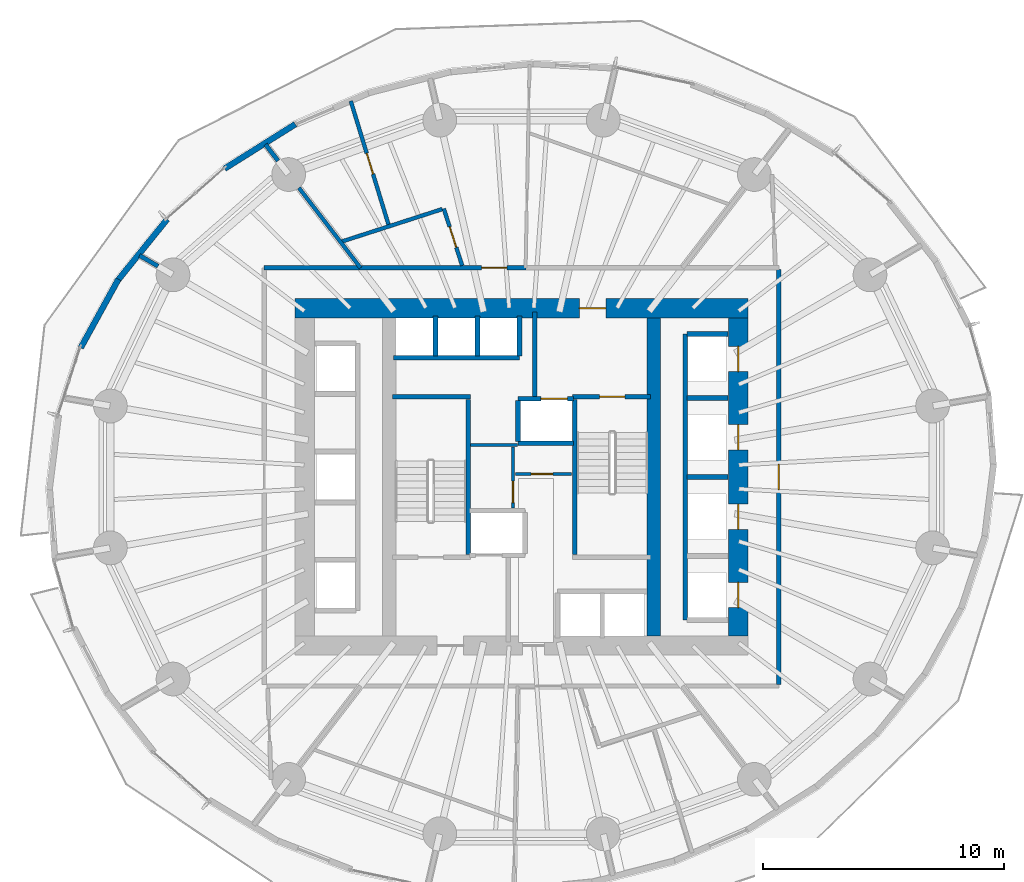
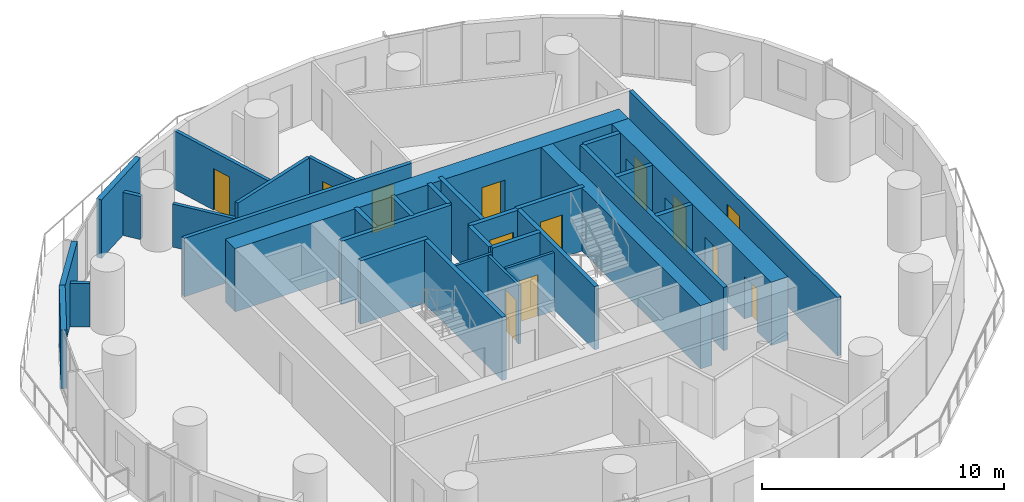
# One storey, part 8 of 14: 33 walls, 13 doors, 13 openings.
"""IFC4 building model written with IfcOpenShell, lengths in metres."""

from ifc_helpers import new_model, si_unit, direction, frame, frame_2d, origin, place, context, subcontext, project, spatial, rectangle, extrude, material, layer, layer_set, type_object, element, fill, save


model = new_model("IFC4")

# Units and contexts
model_context = context("Model", 3, precision=1e-05, world=origin(), true_north=direction((0.0, 1.0)))
body_context = subcontext(model_context, "Body", "Model", "MODEL_VIEW")
ifc_project = project(units=[si_unit("LENGTHUNIT", "METRE"), si_unit("AREAUNIT", "SQUARE_METRE"), si_unit("VOLUMEUNIT", "CUBIC_METRE"), si_unit("PLANEANGLEUNIT", "RADIAN"), si_unit("MASSUNIT", "GRAM", prefix="KILO")], contexts=[model_context])

# Site, building, storey
site_placement = place(None, origin())
site = spatial("IfcSite", under=ifc_project, at=site_placement, CompositionType="ELEMENT")
building_placement = place(site_placement, origin())
building = spatial("IfcBuilding", under=site, at=building_placement, Name="Veldorim Arch Residences", CompositionType="ELEMENT")
storey_placement = place(building_placement, frame((0.0, 0.0, 50.39990234375)))
storey = spatial("IfcBuildingStorey", under=building, at=storey_placement, Name="L14", CompositionType="ELEMENT", Elevation=50.39990234375)

# Wall, opening, door
ifc_material_1 = material(Name="Acoustic Gypsum Board", Category="gypsum")
ifc_layer_1 = layer(ifc_material_1, 0.125, Name="Acoustic Stud Room Partition Wall 125")
ifc_layer_set_1 = layer_set([ifc_layer_1], Name="Acoustic Gypsum Board")
wall_type_1 = type_object("IfcWallType", Name="Acoustic Stud Room Partition Wall 125", PredefinedType="PARTITIONING", material=ifc_layer_set_1)
wall_1_placement = place(storey_placement, frame((31.64990234375, 22.719970703125, 0.0), z_axis=(0.0, 0.0, 1.0), x_axis=(0.0, 1.0, 0.0)))
wall_1 = element("IfcWall", 1, at=wall_1_placement, inside=storey, type_object=wall_type_1, Name="L14 interior wall WL-CA-L14-1", PredefinedType="PARTITIONING", context=body_context, shape_type="SweptSolid", body=[
    extrude(rectangle(XDim=2.52001953125, YDim=0.125, at=frame_2d((1.260009765625, 0.0))), origin(), (0.0, 0.0, 1.0), 2.955078125),
])
opening_1_placement = place(wall_1_placement, frame((0.2099609375, 0.0, 0.0)))
opening_1 = element("IfcOpeningElement", 2, at=opening_1_placement, cuts=wall_1, Name="Opening DR-SVC", PredefinedType="OPENING", context=body_context, shape_type="SweptSolid", body=[
    extrude(rectangle(XDim=0.89990234375, YDim=2.10009765625, at=frame_2d((0.449951171875, 1.050048828125))), frame((0.0, 0.072509765625, 0.0), z_axis=(0.0, -1.0, 0.0), x_axis=(1.0, 0.0, 0.0)), (0.0, 0.0, 1.0), 0.14501953125),
])
ifc_material_2 = material(Name="Fire-Rated Steel", Category="steel")
door_type_1 = type_object("IfcDoorType", Name="Riser, Shelter & Plant Room Rated Steel Door 900x2100", OperationType="SINGLE_SWING_LEFT", PredefinedType="DOOR", material=ifc_material_2)
door_1_placement = place(opening_1_placement, origin())
door_1 = element("IfcDoor", 3, at=door_1_placement, inside=storey, type_object=door_type_1, Name="L14 interior door DR-L14-CA1", OperationType="SINGLE_SWING_LEFT", OverallHeight=2.10009765625, OverallWidth=0.89990234375, PredefinedType="DOOR", context=body_context, shape_type="SweptSolid", body=[
    extrude(rectangle(XDim=0.89990234375, YDim=2.10009765625, at=frame_2d((0.449951171875, 1.050048828125))), frame((0.0, 0.02490234375, 0.0), z_axis=(0.0, -1.0, 0.0), x_axis=(1.0, 0.0, 0.0)), (0.0, 0.0, 1.0), 0.050048828125),
])
fill(opening_1, door_1)

wall_2_placement = place(storey_placement, frame((31.760009765625, 24.1201171875, 0.0), z_axis=(0.0, 0.0, 1.0), x_axis=(1.0, 0.0, 0.0)))
wall_2 = element("IfcWall", 4, at=wall_2_placement, inside=storey, type_object=wall_type_1, Name="L14 interior wall WL-CA-L14-2", PredefinedType="PARTITIONING", context=body_context, shape_type="SweptSolid", body=[
    extrude(rectangle(XDim=2.320068359375, YDim=0.125, at=frame_2d((1.16015625, 0.0))), origin(), (0.0, 0.0, 1.0), 2.955078125),
])
opening_2_placement = place(wall_2_placement, frame((0.639892578125, 0.0, 0.0)))
opening_2 = element("IfcOpeningElement", 5, at=opening_2_placement, cuts=wall_2, Name="Opening DR-SVC", PredefinedType="OPENING", context=body_context, shape_type="SweptSolid", body=[
    extrude(rectangle(XDim=0.89990234375, YDim=2.10009765625, at=frame_2d((0.449951171875, 1.050048828125))), frame((0.0, 0.072509765625, 0.0), z_axis=(0.0, -1.0, 0.0), x_axis=(1.0, 0.0, 0.0)), (0.0, 0.0, 1.0), 0.14501953125),
])
door_2_placement = place(opening_2_placement, origin())
door_2 = element("IfcDoor", 6, at=door_2_placement, inside=storey, type_object=door_type_1, Name="L14 interior door DR-L14-CA2", OperationType="SINGLE_SWING_RIGHT", OverallHeight=2.10009765625, OverallWidth=0.89990234375, PredefinedType="DOOR", context=body_context, shape_type="SweptSolid", body=[
    extrude(rectangle(XDim=0.89990234375, YDim=2.10009765625, at=frame_2d((0.449951171875, 1.050048828125))), frame((0.0, 0.02490234375, 0.0), z_axis=(0.0, -1.0, 0.0), x_axis=(1.0, 0.0, 0.0)), (0.0, 0.0, 1.0), 0.050048828125),
])
fill(opening_2, door_2)

# Walls
wall_3_placement = place(storey_placement, frame((29.889892578125, 25.330078125, 0.0), z_axis=(0.0, 0.0, 1.0), x_axis=(1.0, 0.0, 0.0)))
element("IfcWall", 7, at=wall_3_placement, inside=storey, type_object=wall_type_1, Name="L14 interior wall WL-CA-L14-N", PredefinedType="PARTITIONING", context=body_context, shape_type="SweptSolid", body=[
    extrude(rectangle(XDim=1.940185546875, YDim=0.125, at=frame_2d((0.97021484375, 0.0))), origin(), (0.0, 0.0, 1.0), 2.955078125),
])
ifc_material_3 = material(Name="Lightweight Masonry Block & Gypsum", Category="masonry")
ifc_layer_2 = layer(ifc_material_3, 0.179931640625, Name="Compartment & Corridor Fire-Rated Party Wall 180")
ifc_layer_set_2 = layer_set([ifc_layer_2], Name="Lightweight Masonry Block & Gypsum")
wall_type_2 = type_object("IfcWallType", Name="Compartment & Corridor Fire-Rated Party Wall 180", PredefinedType="PARTITIONING", material=ifc_layer_set_2)
wall_4_placement = place(storey_placement, frame((21.893798828125, 37.125732421875, 0.0), z_axis=(0.0, 0.0, 1.0), x_axis=(-0.610124026743, 0.792305920709, 0.0)))
element("IfcWall", 8, at=wall_4_placement, inside=storey, type_object=wall_type_2, Name="L14 interior wall WL-PIER-L14-06", PredefinedType="PARTITIONING", context=body_context, shape_type="SweptSolid", body=[
    extrude(rectangle(XDim=0.856201171875, YDim=0.179931640625, at=frame_2d((0.42822265625, 0.0))), origin(), (0.0, 0.0, 1.0), 2.17822265625),
])
wall_5_placement = place(storey_placement, frame((16.909423828125, 32.750244140625, 0.0), z_axis=(0.0, 0.0, 1.0), x_axis=(-0.86495471492, 0.501849918937, 0.0)))
element("IfcWall", 9, at=wall_5_placement, inside=storey, type_object=wall_type_2, Name="L14 interior wall WL-PIER-L14-07", PredefinedType="PARTITIONING", context=body_context, shape_type="SweptSolid", body=[
    extrude(rectangle(XDim=0.886962890625, YDim=0.179931640625, at=frame_2d((0.443359375, 0.0))), origin(), (0.0, 0.0, 1.0), 2.17822265625),
])

# Wall, opening, door
wall_6_placement = place(storey_placement, frame((42.679931640625, 32.6201171875, 0.0), z_axis=(0.0, 0.0, 1.0), x_axis=(0.0, -1.0, 0.0)))
wall_6 = element("IfcWall", 10, at=wall_6_placement, inside=storey, type_object=wall_type_2, Name="L14 interior wall WL-RES-L14-003", PredefinedType="PARTITIONING", context=body_context, shape_type="SweptSolid", body=[
    extrude(rectangle(XDim=17.240234375, YDim=0.179931640625, at=frame_2d((8.6201171875, 0.0))), origin(), (0.0, 0.0, 1.0), 2.955078125),
])
opening_3_placement = place(wall_6_placement, frame((8.094970703125, 0.0, 0.0)))
opening_3 = element("IfcOpeningElement", 11, at=opening_3_placement, cuts=wall_6, Name="Opening DR-FLT", PredefinedType="OPENING", context=body_context, shape_type="SweptSolid", body=[
    extrude(rectangle(XDim=1.050048828125, YDim=2.14990234375, at=frame_2d((0.52490234375, 1.074951171875))), frame((0.0, 0.099853515625, 0.0), z_axis=(0.0, -1.0, 0.0), x_axis=(1.0, 0.0, 0.0)), (0.0, 0.0, 1.0), 0.199951171875),
])
ifc_material_4 = material(Name="Fire-Rated Timber", Category="wood")
door_type_2 = type_object("IfcDoorType", Name="Apartment Entrance Solid-Core Fire Door 1050x2150", OperationType="SINGLE_SWING_LEFT", PredefinedType="DOOR", material=ifc_material_4)
door_3_placement = place(opening_3_placement, origin())
door_3 = element("IfcDoor", 12, at=door_3_placement, inside=storey, type_object=door_type_2, Name="L14 interior door DR-RES-L14-006", OperationType="SINGLE_SWING_RIGHT", OverallHeight=2.14990234375, OverallWidth=1.050048828125, PredefinedType="DOOR", context=body_context, shape_type="SweptSolid", body=[
    extrude(rectangle(XDim=1.050048828125, YDim=2.14990234375, at=frame_2d((0.52490234375, 1.074951171875))), frame((0.0, 0.02490234375, 0.0), z_axis=(0.0, -1.0, 0.0), x_axis=(1.0, 0.0, 0.0)), (0.0, 0.0, 1.0), 0.050048828125),
])
fill(opening_3, door_3)

wall_7_placement = place(storey_placement, frame((21.320068359375, 32.679931640625, 0.0), z_axis=(0.0, 0.0, 1.0), x_axis=(1.0, 0.0, 0.0)))
wall_7 = element("IfcWall", 13, at=wall_7_placement, inside=storey, type_object=wall_type_2, Name="L14 interior wall WL-RES-L14-004", PredefinedType="PARTITIONING", context=body_context, shape_type="SweptSolid", body=[
    extrude(rectangle(XDim=10.86962890625, YDim=0.179931640625, at=frame_2d((5.434814453125, 0.0))), origin(), (0.0, 0.0, 1.0), 2.955078125),
])
opening_4_placement = place(wall_7_placement, frame((9.02294921875, 0.0, 0.0)))
opening_4 = element("IfcOpeningElement", 14, at=opening_4_placement, cuts=wall_7, Name="Opening DR-FLT", PredefinedType="OPENING", context=body_context, shape_type="SweptSolid", body=[
    extrude(rectangle(XDim=1.050048828125, YDim=2.14990234375, at=frame_2d((0.52490234375, 1.074951171875))), frame((0.0, 0.099853515625, 0.0), z_axis=(0.0, -1.0, 0.0), x_axis=(1.0, 0.0, 0.0)), (0.0, 0.0, 1.0), 0.199951171875),
])
door_4_placement = place(opening_4_placement, origin())
door_4 = element("IfcDoor", 15, at=door_4_placement, inside=storey, type_object=door_type_2, Name="L14 interior door DR-RES-L14-008", OperationType="SINGLE_SWING_RIGHT", OverallHeight=2.14990234375, OverallWidth=1.050048828125, PredefinedType="DOOR", context=body_context, shape_type="SweptSolid", body=[
    extrude(rectangle(XDim=1.050048828125, YDim=2.14990234375, at=frame_2d((0.52490234375, 1.074951171875))), frame((0.0, 0.02490234375, 0.0), z_axis=(0.0, -1.0, 0.0), x_axis=(1.0, 0.0, 0.0)), (0.0, 0.0, 1.0), 0.050048828125),
])
fill(opening_4, door_4)

# Walls
ifc_material_5 = material(Name="Concrete C50/60", Category="concrete")
ifc_layer_3 = layer(ifc_material_5, 0.199951171875, Name="Core Stair & Lift Shaft Enclosure Wall 200")
ifc_layer_set_3 = layer_set([ifc_layer_3], Name="Concrete C50/60")
wall_type_3 = type_object("IfcWallType", Name="Core Stair & Lift Shaft Enclosure Wall 200", PredefinedType="SHEAR", material=ifc_layer_set_3)
wall_8_placement = place(storey_placement, frame((29.7900390625, 20.780029296875, 0.0), z_axis=(0.0, 0.0, 1.0), x_axis=(0.0, 1.0, 0.0)))
element("IfcWall", 16, at=wall_8_placement, inside=storey, type_object=wall_type_3, Name="L14 shaft wall WL-SHF-L14-ST1-E", PredefinedType="SHEAR", context=body_context, shape_type="SweptSolid", body=[
    extrude(rectangle(XDim=6.43994140625, YDim=0.199951171875, at=frame_2d((3.219970703125, 0.0))), origin(), (0.0, 0.0, 1.0), 3.2001953125),
])
wall_9_placement = place(storey_placement, frame((26.64990234375, 27.330078125, 0.0), z_axis=(0.0, 0.0, 1.0), x_axis=(1.0, 0.0, 0.0)))
element("IfcWall", 17, at=wall_9_placement, inside=storey, type_object=wall_type_3, Name="L14 shaft wall WL-SHF-L14-ST1-N", PredefinedType="SHEAR", context=body_context, shape_type="SweptSolid", body=[
    extrude(rectangle(XDim=3.239990234375, YDim=0.199951171875, at=frame_2d((1.6201171875, 0.0))), origin(), (0.0, 0.0, 1.0), 3.2001953125),
])
wall_10_placement = place(storey_placement, frame((34.2099609375, 20.780029296875, 0.0), z_axis=(0.0, 0.0, 1.0), x_axis=(0.0, 1.0, 0.0)))
element("IfcWall", 18, at=wall_10_placement, inside=storey, type_object=wall_type_3, Name="L14 shaft wall WL-SHF-L14-ST2-W", PredefinedType="SHEAR", context=body_context, shape_type="SweptSolid", body=[
    extrude(rectangle(XDim=6.43994140625, YDim=0.199951171875, at=frame_2d((3.219970703125, 0.0))), origin(), (0.0, 0.0, 1.0), 3.2001953125),
])

# Wall, opening, door
wall_11_placement = place(storey_placement, frame((34.110107421875, 27.330078125, 0.0), z_axis=(0.0, 0.0, 1.0), x_axis=(1.0, 0.0, 0.0)))
wall_11 = element("IfcWall", 19, at=wall_11_placement, inside=storey, type_object=wall_type_3, Name="L14 shaft wall WL-SHF-L14-ST2-N", PredefinedType="SHEAR", context=body_context, shape_type="SweptSolid", body=[
    extrude(rectangle(XDim=3.239990234375, YDim=0.199951171875, at=frame_2d((1.6201171875, 0.0))), origin(), (0.0, 0.0, 1.0), 3.2001953125),
])
opening_5_placement = place(wall_11_placement, frame((1.135009765625, 0.0, 0.0)))
opening_5 = element("IfcOpeningElement", 20, at=opening_5_placement, cuts=wall_11, Name="Opening DR-ST", PredefinedType="OPENING", context=body_context, shape_type="SweptSolid", body=[
    extrude(rectangle(XDim=1.050048828125, YDim=2.14990234375, at=frame_2d((0.52490234375, 1.074951171875))), frame((0.0, 0.10986328125, 0.0), z_axis=(0.0, -1.0, 0.0), x_axis=(1.0, 0.0, 0.0)), (0.0, 0.0, 1.0), 0.219970703125),
])
ifc_material_6 = material(Name="Fire-Rated Steel", Category="steel")
door_type_3 = type_object("IfcDoorType", Name="Exit Staircase Self-Closing Fire Door 1050x2150", OperationType="SINGLE_SWING_LEFT", PredefinedType="DOOR", material=ifc_material_6)
door_5_placement = place(opening_5_placement, origin())
door_5 = element("IfcDoor", 21, at=door_5_placement, inside=storey, type_object=door_type_3, Name="L14 interior door DR-L14-ST2", OperationType="SINGLE_SWING_RIGHT", OverallHeight=2.14990234375, OverallWidth=1.050048828125, PredefinedType="DOOR", context=body_context, shape_type="SweptSolid", body=[
    extrude(rectangle(XDim=1.050048828125, YDim=2.14990234375, at=frame_2d((0.52490234375, 1.074951171875))), frame((0.0, 0.02490234375, 0.0), z_axis=(0.0, -1.0, 0.0), x_axis=(1.0, 0.0, 0.0)), (0.0, 0.0, 1.0), 0.050048828125),
])
fill(opening_5, door_5)

# Wall
wall_12_placement = place(storey_placement, frame((32.550048828125, 27.35009765625, 0.0), z_axis=(0.0, 0.0, 1.0), x_axis=(0.0, 1.0, 0.0)))
element("IfcWall", 22, at=wall_12_placement, inside=storey, type_object=wall_type_3, Name="L14 shaft wall WL-FFL2-L14-W", PredefinedType="SHEAR", context=body_context, shape_type="SweptSolid", body=[
    extrude(rectangle(XDim=3.5, YDim=0.199951171875, at=frame_2d((1.75, 0.0))), origin(), (0.0, 0.0, 1.0), 3.2001953125),
])

# Wall, opening, door
wall_13_placement = place(storey_placement, frame((31.85009765625, 27.25, 0.0), z_axis=(0.0, 0.0, 1.0), x_axis=(1.0, 0.0, 0.0)))
wall_13 = element("IfcWall", 23, at=wall_13_placement, inside=storey, type_object=wall_type_3, Name="L14 shaft wall WL-FL02-L14-N", PredefinedType="SHEAR", context=body_context, shape_type="SweptSolid", body=[
    extrude(rectangle(XDim=2.2998046875, YDim=0.199951171875, at=frame_2d((1.14990234375, 0.0))), origin(), (0.0, 0.0, 1.0), 3.2001953125),
])
opening_6_placement = place(wall_13_placement, frame((0.949951171875, 0.0, 0.0)))
opening_6 = element("IfcOpeningElement", 24, at=opening_6_placement, cuts=wall_13, Name="Opening LD-FF", PredefinedType="OPENING", context=body_context, shape_type="SweptSolid", body=[
    extrude(rectangle(XDim=1.10009765625, YDim=2.14990234375, at=frame_2d((0.550048828125, 1.074951171875))), frame((0.0, 0.10986328125, 0.0), z_axis=(0.0, -1.0, 0.0), x_axis=(1.0, 0.0, 0.0)), (0.0, 0.0, 1.0), 0.219970703125),
])
ifc_material_7 = material(Name="Stainless Steel", Category="steel")
door_type_4 = type_object("IfcDoorType", Name="Firefighting Lift Bi-Parting Sliding Landing Door 1100x2150", OperationType="DOUBLE_DOOR_SLIDING", PredefinedType="DOOR", material=ifc_material_7)
door_6_placement = place(opening_6_placement, origin())
door_6 = element("IfcDoor", 25, at=door_6_placement, inside=storey, type_object=door_type_4, Name="L14 lift landing door LD-L14-FL02", OperationType="DOUBLE_DOOR_SLIDING", OverallHeight=2.14990234375, OverallWidth=1.10009765625, PredefinedType="DOOR", context=body_context, shape_type="SweptSolid", body=[
    extrude(rectangle(XDim=1.10009765625, YDim=2.14990234375, at=frame_2d((0.550048828125, 1.074951171875))), frame((0.0, 0.02490234375, 0.0), z_axis=(0.0, -1.0, 0.0), x_axis=(1.0, 0.0, 0.0)), (0.0, 0.0, 1.0), 0.050048828125),
])
fill(opening_6, door_6)

# Walls
wall_14_placement = place(storey_placement, frame((31.85009765625, 25.39990234375, 0.0), z_axis=(0.0, 0.0, 1.0), x_axis=(1.0, 0.0, 0.0)))
element("IfcWall", 26, at=wall_14_placement, inside=storey, type_object=wall_type_3, Name="L14 shaft wall WL-FL02-L14-S", PredefinedType="SHEAR", context=body_context, shape_type="SweptSolid", body=[
    extrude(rectangle(XDim=2.2998046875, YDim=0.199951171875, at=frame_2d((1.14990234375, 0.0))), origin(), (0.0, 0.0, 1.0), 3.2001953125),
])
wall_15_placement = place(storey_placement, frame((31.85009765625, 25.469970703125, 0.0), z_axis=(0.0, 0.0, 1.0), x_axis=(0.0, 1.0, 0.0)))
element("IfcWall", 27, at=wall_15_placement, inside=storey, type_object=wall_type_3, Name="L14 shaft wall WL-FL02-L14-W", PredefinedType="SHEAR", context=body_context, shape_type="SweptSolid", body=[
    extrude(rectangle(XDim=1.7099609375, YDim=0.199951171875, at=frame_2d((0.85498046875, 0.0))), origin(), (0.0, 0.0, 1.0), 3.2001953125),
])
wall_16_placement = place(storey_placement, frame((38.800048828125, 18.06005859375, 0.0), z_axis=(0.0, 0.0, 1.0), x_axis=(0.0, 1.0, 0.0)))
element("IfcWall", 28, at=wall_16_placement, inside=storey, type_object=wall_type_3, Name="L14 shaft wall WL-B1-L14-W", PredefinedType="SHEAR", context=body_context, shape_type="SweptSolid", body=[
    extrude(rectangle(XDim=11.8798828125, YDim=0.199951171875, at=frame_2d((5.93994140625, 0.0))), origin(), (0.0, 0.0, 1.0), 3.2001953125),
])
for number, where, z_axis, x_axis, name in (
    (29, (38.8701171875, 29.93994140625, 0.0), (0.0, 0.0, 1.0), (1.0, 0.0, 0.0), "L14 shaft wall WL-B1-L14-N"),
    (30, (38.8701171875, 24.0, 0.0), (0.0, 0.0, 1.0), (1.0, 0.0, 0.0), "L14 shaft wall WL-B1-L14-D2"),
    (31, (38.8701171875, 27.27490234375, 0.0), (0.0, 0.0, 1.0), (1.0, 0.0, 0.0), "L14 shaft wall WL-B1-L14-D3"),
):
    element("IfcWall", number, at=place(storey_placement, frame(where, z_axis=z_axis, x_axis=x_axis)), inside=storey, type_object=wall_type_3, Name=name, PredefinedType="SHEAR", context=body_context, shape_type="SweptSolid", body=[
        extrude(rectangle(XDim=1.7099609375, YDim=0.199951171875, at=frame_2d((0.85498046875, 0.0))), origin(), (0.0, 0.0, 1.0), 3.2001953125),
    ])
wall_17_placement = place(storey_placement, frame((26.679931640625, 28.949951171875, 0.0), z_axis=(0.0, 0.0, 1.0), x_axis=(1.0, 0.0, 0.0)))
element("IfcWall", 32, at=wall_17_placement, inside=storey, type_object=wall_type_3, Name="L14 shaft wall WL-B3-L14-S", PredefinedType="SHEAR", context=body_context, shape_type="SweptSolid", body=[
    extrude(rectangle(XDim=5.239990234375, YDim=0.199951171875, at=frame_2d((2.6201171875, 0.0))), origin(), (0.0, 0.0, 1.0), 3.2001953125),
])
for number, where, z_axis, x_axis, name in (
    (33, (31.919921875, 29.02001953125, 0.0), (0.0, 0.0, 1.0), (0.0, 1.0, 0.0), "L14 shaft wall WL-B3-L14-E"),
    (34, (28.425048828125, 29.02001953125, 0.0), (0.0, 0.0, 1.0), (0.0, 1.0, 0.0), "L14 shaft wall WL-B3-L14-D1"),
    (35, (30.175048828125, 29.02001953125, 0.0), (0.0, 0.0, 1.0), (0.0, 1.0, 0.0), "L14 shaft wall WL-B3-L14-D2"),
):
    element("IfcWall", number, at=place(storey_placement, frame(where, z_axis=z_axis, x_axis=x_axis)), inside=storey, type_object=wall_type_3, Name=name, PredefinedType="SHEAR", context=body_context, shape_type="SweptSolid", body=[
        extrude(rectangle(XDim=1.659912109375, YDim=0.199951171875, at=frame_2d((0.830078125, 0.0))), origin(), (0.0, 0.0, 1.0), 3.2001953125),
    ])
ifc_material_8 = material(Name="Concrete C60/75", Category="concrete")
ifc_layer_4 = layer(ifc_material_8, 0.56005859375, Name="Internal Core Shear Web Wall 560")
ifc_layer_set_4 = layer_set([ifc_layer_4], Name="Concrete C60/75")
wall_type_4 = type_object("IfcWallType", Name="Internal Core Shear Web Wall 560", PredefinedType="SHEAR", material=ifc_layer_set_4)
wall_18_placement = place(storey_placement, frame((37.5, 17.39990234375, 0.0), z_axis=(0.0, 0.0, 1.0), x_axis=(0.0, 1.0, 0.0)))
element("IfcWall", 36, at=wall_18_placement, inside=storey, type_object=wall_type_4, Name="L14 core east internal shear web", PredefinedType="SHEAR", context=body_context, shape_type="SweptSolid", body=[
    extrude(rectangle(XDim=13.2001953125, YDim=0.56005859375, at=frame_2d((6.60009765625, 0.0))), origin(), (0.0, 0.0, 1.0), 3.2001953125),
])

# Wall, opening, door
ifc_material_9 = material(Name="Concrete C60/75", Category="concrete")
ifc_layer_5 = layer(ifc_material_9, 0.800048828125, Name="Lower Central Core Shear Wall 800")
ifc_layer_set_5 = layer_set([ifc_layer_5], Name="Concrete C60/75")
wall_type_5 = type_object("IfcWallType", Name="Lower Central Core Shear Wall 800", PredefinedType="SHEAR", material=ifc_layer_set_5)
wall_19_placement = place(storey_placement, frame((22.60009765625, 31.0, 0.0), z_axis=(0.0, 0.0, 1.0), x_axis=(1.0, 0.0, 0.0)))
wall_19 = element("IfcWall", 37, at=wall_19_placement, inside=storey, type_object=wall_type_5, Name="L14 central core north shear wall", PredefinedType="SHEAR", context=body_context, shape_type="SweptSolid", body=[
    extrude(rectangle(XDim=18.7998046875, YDim=0.800048828125, at=frame_2d((9.39990234375, 0.0))), origin(), (0.0, 0.0, 1.0), 3.2001953125),
])
opening_7_placement = place(wall_19_placement, frame((11.800048828125, 0.0, 0.0)))
opening_7 = element("IfcOpeningElement", 38, at=opening_7_placement, cuts=wall_19, Name="Opening DR-FFL", PredefinedType="OPENING", context=body_context, shape_type="SweptSolid", body=[
    extrude(rectangle(XDim=1.10009765625, YDim=2.14990234375, at=frame_2d((0.550048828125, 1.074951171875))), frame((0.0, 0.409912109375, 0.0), z_axis=(0.0, -1.0, 0.0), x_axis=(1.0, 0.0, 0.0)), (0.0, 0.0, 1.0), 0.820068359375),
])
ifc_material_10 = material(Name="Fire-Rated Steel & Vision Glass", Category="steel")
door_type_5 = type_object("IfcDoorType", Name="Firefighting Lobby Smoke-Stop Fire Door 1100x2150", OperationType="SINGLE_SWING_LEFT", PredefinedType="DOOR", material=ifc_material_10)
door_7_placement = place(opening_7_placement, origin())
door_7 = element("IfcDoor", 39, at=door_7_placement, inside=storey, type_object=door_type_5, Name="L14 interior door DR-L14-FFL2", OperationType="SINGLE_SWING_LEFT", OverallHeight=2.14990234375, OverallWidth=1.10009765625, PredefinedType="DOOR", context=body_context, shape_type="SweptSolid", body=[
    extrude(rectangle(XDim=1.10009765625, YDim=2.14990234375, at=frame_2d((0.550048828125, 1.074951171875))), frame((0.0, 0.02490234375, 0.0), z_axis=(0.0, -1.0, 0.0), x_axis=(1.0, 0.0, 0.0)), (0.0, 0.0, 1.0), 0.050048828125),
])
fill(opening_7, door_7)

# Wall, openings, doors
wall_20_placement = place(storey_placement, frame((41.0, 17.39990234375, 0.0), z_axis=(0.0, 0.0, 1.0), x_axis=(0.0, 1.0, 0.0)))
wall_20 = element("IfcWall", 40, at=wall_20_placement, inside=storey, type_object=wall_type_5, Name="L14 central core east shear wall", PredefinedType="SHEAR", context=body_context, shape_type="SweptSolid", body=[
    extrude(rectangle(XDim=13.2001953125, YDim=0.800048828125, at=frame_2d((6.60009765625, 0.0))), origin(), (0.0, 0.0, 1.0), 3.2001953125),
])
opening_8_placement = place(wall_20_placement, frame((1.175048828125, 0.0, 0.0)))
opening_8 = element("IfcOpeningElement", 41, at=opening_8_placement, cuts=wall_20, Name="Opening LD-PS", PredefinedType="OPENING", context=body_context, shape_type="SweptSolid", body=[
    extrude(rectangle(XDim=1.050048828125, YDim=2.14990234375, at=frame_2d((0.52490234375, 1.074951171875))), frame((0.0, 0.409912109375, 0.0), z_axis=(0.0, -1.0, 0.0), x_axis=(1.0, 0.0, 0.0)), (0.0, 0.0, 1.0), 0.820068359375),
])
opening_9_placement = place(wall_20_placement, frame((4.425048828125, 0.0, 0.0)))
opening_9 = element("IfcOpeningElement", 42, at=opening_9_placement, cuts=wall_20, Name="Opening LD-PS", PredefinedType="OPENING", context=body_context, shape_type="SweptSolid", body=[
    extrude(rectangle(XDim=1.050048828125, YDim=2.14990234375, at=frame_2d((0.52490234375, 1.074951171875))), frame((0.0, 0.409912109375, 0.0), z_axis=(0.0, -1.0, 0.0), x_axis=(1.0, 0.0, 0.0)), (0.0, 0.0, 1.0), 0.820068359375),
])
opening_10_placement = place(wall_20_placement, frame((7.72509765625, 0.0, 0.0)))
opening_10 = element("IfcOpeningElement", 43, at=opening_10_placement, cuts=wall_20, Name="Opening LD-PS", PredefinedType="OPENING", context=body_context, shape_type="SweptSolid", body=[
    extrude(rectangle(XDim=1.050048828125, YDim=2.14990234375, at=frame_2d((0.52490234375, 1.074951171875))), frame((0.0, 0.409912109375, 0.0), z_axis=(0.0, -1.0, 0.0), x_axis=(1.0, 0.0, 0.0)), (0.0, 0.0, 1.0), 0.820068359375),
])
opening_11_placement = place(wall_20_placement, frame((10.97509765625, 0.0, 0.0)))
opening_11 = element("IfcOpeningElement", 44, at=opening_11_placement, cuts=wall_20, Name="Opening LD-PS", PredefinedType="OPENING", context=body_context, shape_type="SweptSolid", body=[
    extrude(rectangle(XDim=1.050048828125, YDim=2.14990234375, at=frame_2d((0.52490234375, 1.074951171875))), frame((0.0, 0.409912109375, 0.0), z_axis=(0.0, -1.0, 0.0), x_axis=(1.0, 0.0, 0.0)), (0.0, 0.0, 1.0), 0.820068359375),
])
ifc_material_11 = material(Name="Stainless Steel", Category="steel")
door_type_6 = type_object("IfcDoorType", Name="Passenger Lift Bi-Parting Sliding Landing Door 1050x2150", OperationType="DOUBLE_DOOR_SLIDING", PredefinedType="DOOR", material=ifc_material_11)
door_8_placement = place(opening_8_placement, origin())
door_8 = element("IfcDoor", 45, at=door_8_placement, inside=storey, type_object=door_type_6, Name="L14 lift landing door LD-L14-PL-01", OperationType="DOUBLE_DOOR_SLIDING", OverallHeight=2.14990234375, OverallWidth=1.050048828125, PredefinedType="DOOR", context=body_context, shape_type="SweptSolid", body=[
    extrude(rectangle(XDim=1.050048828125, YDim=2.14990234375, at=frame_2d((0.52490234375, 1.074951171875))), frame((0.0, 0.02490234375, 0.0), z_axis=(0.0, -1.0, 0.0), x_axis=(1.0, 0.0, 0.0)), (0.0, 0.0, 1.0), 0.050048828125),
])
fill(opening_8, door_8)
door_9_placement = place(opening_9_placement, origin())
door_9 = element("IfcDoor", 46, at=door_9_placement, inside=storey, type_object=door_type_6, Name="L14 lift landing door LD-L14-PL-02", OperationType="DOUBLE_DOOR_SLIDING", OverallHeight=2.14990234375, OverallWidth=1.050048828125, PredefinedType="DOOR", context=body_context, shape_type="SweptSolid", body=[
    extrude(rectangle(XDim=1.050048828125, YDim=2.14990234375, at=frame_2d((0.52490234375, 1.074951171875))), frame((0.0, 0.02490234375, 0.0), z_axis=(0.0, -1.0, 0.0), x_axis=(1.0, 0.0, 0.0)), (0.0, 0.0, 1.0), 0.050048828125),
])
fill(opening_9, door_9)
door_10_placement = place(opening_10_placement, origin())
door_10 = element("IfcDoor", 47, at=door_10_placement, inside=storey, type_object=door_type_6, Name="L14 lift landing door LD-L14-PL-03", OperationType="DOUBLE_DOOR_SLIDING", OverallHeight=2.14990234375, OverallWidth=1.050048828125, PredefinedType="DOOR", context=body_context, shape_type="SweptSolid", body=[
    extrude(rectangle(XDim=1.050048828125, YDim=2.14990234375, at=frame_2d((0.52490234375, 1.074951171875))), frame((0.0, 0.02490234375, 0.0), z_axis=(0.0, -1.0, 0.0), x_axis=(1.0, 0.0, 0.0)), (0.0, 0.0, 1.0), 0.050048828125),
])
fill(opening_10, door_10)
door_11_placement = place(opening_11_placement, origin())
door_11 = element("IfcDoor", 48, at=door_11_placement, inside=storey, type_object=door_type_6, Name="L14 lift landing door LD-L14-PL-04", OperationType="DOUBLE_DOOR_SLIDING", OverallHeight=2.14990234375, OverallWidth=1.050048828125, PredefinedType="DOOR", context=body_context, shape_type="SweptSolid", body=[
    extrude(rectangle(XDim=1.050048828125, YDim=2.14990234375, at=frame_2d((0.52490234375, 1.074951171875))), frame((0.0, 0.02490234375, 0.0), z_axis=(0.0, -1.0, 0.0), x_axis=(1.0, 0.0, 0.0)), (0.0, 0.0, 1.0), 0.050048828125),
])
fill(opening_11, door_11)

# Walls
ifc_material_12 = material(Name="Precast concrete C40/50", Category="concrete")
ifc_layer_6 = layer(ifc_material_12, 0.25, Name="Tower Terracotta Spandrel & Pier Wall 250")
ifc_layer_set_6 = layer_set([ifc_layer_6], Name="Precast concrete C40/50")
wall_type_6 = type_object("IfcWallType", Name="Tower Terracotta Spandrel & Pier Wall 250", PredefinedType="SOLIDWALL", material=ifc_layer_set_6)
wall_21_placement = place(storey_placement, frame((19.674072265625, 36.80322265625, 0.0), z_axis=(0.0, 0.0, 1.0), x_axis=(0.846852351865, 0.531828068215, 0.0)))
element("IfcWall", 49, at=wall_21_placement, inside=storey, type_object=wall_type_6, Name="L14 terracotta facade wall 12", PredefinedType="SOLIDWALL", context=body_context, shape_type="SweptSolid", body=[
    extrude(rectangle(XDim=3.465087890625, YDim=0.25, at=frame_2d((1.732421875, 0.0))), origin(), (0.0, 0.0, 1.0), 2.960205078125),
])
wall_22_placement = place(storey_placement, frame((15.2001953125, 32.116943359375, 0.0), z_axis=(0.0, 0.0, 1.0), x_axis=(0.62854914488, 0.777769871151, 0.0)))
element("IfcWall", 50, at=wall_22_placement, inside=storey, type_object=wall_type_6, Name="L14 terracotta facade wall 14", PredefinedType="SOLIDWALL", context=body_context, shape_type="SweptSolid", body=[
    extrude(rectangle(XDim=3.322998046875, YDim=0.25, at=frame_2d((1.66162109375, 0.0))), origin(), (0.0, 0.0, 1.0), 2.960205078125),
])
wall_23_placement = place(storey_placement, frame((13.7001953125, 29.366455078125, 0.0), z_axis=(0.0, 0.0, 1.0), x_axis=(0.481612512773, 0.876384269337, 0.0)))
element("IfcWall", 51, at=wall_23_placement, inside=storey, type_object=wall_type_6, Name="L14 terracotta facade wall 15", PredefinedType="SOLIDWALL", context=body_context, shape_type="SweptSolid", body=[
    extrude(rectangle(XDim=3.244384765625, YDim=0.25, at=frame_2d((1.6220703125, 0.0))), origin(), (0.0, 0.0, 1.0), 2.960205078125),
])

# Wall, opening, door
ifc_material_13 = material(Name="Moisture-Resistant Gypsum & Stud", Category="gypsum")
ifc_layer_7 = layer(ifc_material_13, 0.159912109375, Name="Wet-Area Moisture-Resistant Plumbing Wall 160")
ifc_layer_set_7 = layer_set([ifc_layer_7], Name="Moisture-Resistant Gypsum & Stud")
wall_type_7 = type_object("IfcWallType", Name="Wet-Area Moisture-Resistant Plumbing Wall 160", PredefinedType="PLUMBINGWALL", material=ifc_layer_set_7)
wall_24_placement = place(storey_placement, frame((26.50048828125, 34.406005859375, 0.0), z_axis=(0.0, 0.0, 1.0), x_axis=(-0.292167210162, 0.956367252318, 0.0)))
wall_24 = element("IfcWall", 52, at=wall_24_placement, inside=storey, type_object=wall_type_7, Name="L14 interior wall WL-RES-L14-016", PredefinedType="PLUMBINGWALL", context=body_context, shape_type="SweptSolid", body=[
    extrude(rectangle(XDim=5.438232421875, YDim=0.159912109375, at=frame_2d((2.71923828125, 0.0))), origin(), (0.0, 0.0, 1.0), 2.955078125),
])
opening_12_placement = place(wall_24_placement, frame((2.26904296875, 0.0, 0.0)))
opening_12 = element("IfcOpeningElement", 53, at=opening_12_placement, cuts=wall_24, Name="Opening DR-WC", PredefinedType="OPENING", context=body_context, shape_type="SweptSolid", body=[
    extrude(rectangle(XDim=0.89990234375, YDim=2.10009765625, at=frame_2d((0.449951171875, 1.050048828125))), frame((0.0, 0.08984375, 0.0), z_axis=(0.0, -1.0, 0.0), x_axis=(1.0, 0.0, 0.0)), (0.0, 0.0, 1.0), 0.179931640625),
])
ifc_material_14 = material(Name="Laminate Timber", Category="wood")
door_type_7 = type_object("IfcDoorType", Name="Bathroom & Accessible WC Moisture-Sealed Door 900x2100", OperationType="SINGLE_SWING_LEFT", PredefinedType="DOOR", material=ifc_material_14)
door_12_placement = place(opening_12_placement, origin())
door_12 = element("IfcDoor", 54, at=door_12_placement, inside=storey, type_object=door_type_7, Name="L14 interior door DR-RES-L14-009", OperationType="SINGLE_SWING_LEFT", OverallHeight=2.10009765625, OverallWidth=0.89990234375, PredefinedType="DOOR", context=body_context, shape_type="SweptSolid", body=[
    extrude(rectangle(XDim=0.89990234375, YDim=2.10009765625, at=frame_2d((0.449951171875, 1.050048828125))), frame((0.0, 0.02490234375, 0.0), z_axis=(0.0, -1.0, 0.0), x_axis=(1.0, 0.0, 0.0)), (0.0, 0.0, 1.0), 0.050048828125),
])
fill(opening_12, door_12)

wall_25_placement = place(storey_placement, frame((29.53662109375, 32.775146484375, 0.0), z_axis=(0.0, 0.0, 1.0), x_axis=(-0.307163549255, 0.951656741693, 0.0)))
wall_25 = element("IfcWall", 55, at=wall_25_placement, inside=storey, type_object=wall_type_7, Name="L14 interior wall WL-RES-L14-018", PredefinedType="PLUMBINGWALL", context=body_context, shape_type="SweptSolid", body=[
    extrude(rectangle(XDim=2.484619140625, YDim=0.159912109375, at=frame_2d((1.2421875, 0.0))), origin(), (0.0, 0.0, 1.0), 2.955078125),
])
opening_13_placement = place(wall_25_placement, frame((0.792236328125, 0.0, 0.0)))
opening_13 = element("IfcOpeningElement", 56, at=opening_13_placement, cuts=wall_25, Name="Opening DR-INT", PredefinedType="OPENING", context=body_context, shape_type="SweptSolid", body=[
    extrude(rectangle(XDim=0.89990234375, YDim=2.10009765625, at=frame_2d((0.449951171875, 1.050048828125))), frame((0.0, 0.08984375, 0.0), z_axis=(0.0, -1.0, 0.0), x_axis=(1.0, 0.0, 0.0)), (0.0, 0.0, 1.0), 0.179931640625),
])
ifc_material_15 = material(Name="Engineered Timber", Category="wood")
door_type_8 = type_object("IfcDoorType", Name="Apartment Internal Room Timber Door 900x2100", OperationType="SINGLE_SWING_LEFT", PredefinedType="DOOR", material=ifc_material_15)
door_13_placement = place(opening_13_placement, origin())
door_13 = element("IfcDoor", 57, at=door_13_placement, inside=storey, type_object=door_type_8, Name="L14 interior door DR-RES-L14-012", OperationType="SINGLE_SWING_RIGHT", OverallHeight=2.10009765625, OverallWidth=0.89990234375, PredefinedType="DOOR", context=body_context, shape_type="SweptSolid", body=[
    extrude(rectangle(XDim=0.89990234375, YDim=2.10009765625, at=frame_2d((0.449951171875, 1.050048828125))), frame((0.0, 0.02490234375, 0.0), z_axis=(0.0, -1.0, 0.0), x_axis=(1.0, 0.0, 0.0)), (0.0, 0.0, 1.0), 0.050048828125),
])
fill(opening_13, door_13)

# Walls
wall_26_placement = place(storey_placement, frame((28.71630859375, 35.121337890625, 0.0), z_axis=(0.0, 0.0, 1.0), x_axis=(-0.951640751353, -0.307213086253, 0.0)))
element("IfcWall", 58, at=wall_26_placement, inside=storey, type_object=wall_type_7, Name="L14 interior wall WL-RES-L14-019", PredefinedType="PLUMBINGWALL", context=body_context, shape_type="SweptSolid", body=[
    extrude(rectangle(XDim=4.443115234375, YDim=0.159912109375, at=frame_2d((2.2216796875, 0.0))), origin(), (0.0, 0.0, 1.0), 2.955078125),
])
wall_27_placement = place(storey_placement, frame((25.31689453125, 32.679931640625, 0.0), z_axis=(0.0, 0.0, 1.0), x_axis=(-0.610070932863, 0.792346803411, 0.0)))
element("IfcWall", 59, at=wall_27_placement, inside=storey, type_object=wall_type_7, Name="L14 interior wall WL-RES-L14-020", PredefinedType="PLUMBINGWALL", context=body_context, shape_type="SweptSolid", body=[
    extrude(rectangle(XDim=4.1923828125, YDim=0.159912109375, at=frame_2d((2.09619140625, 0.0))), origin(), (0.0, 0.0, 1.0), 2.17822265625),
])

save(model, "model.ifc")
